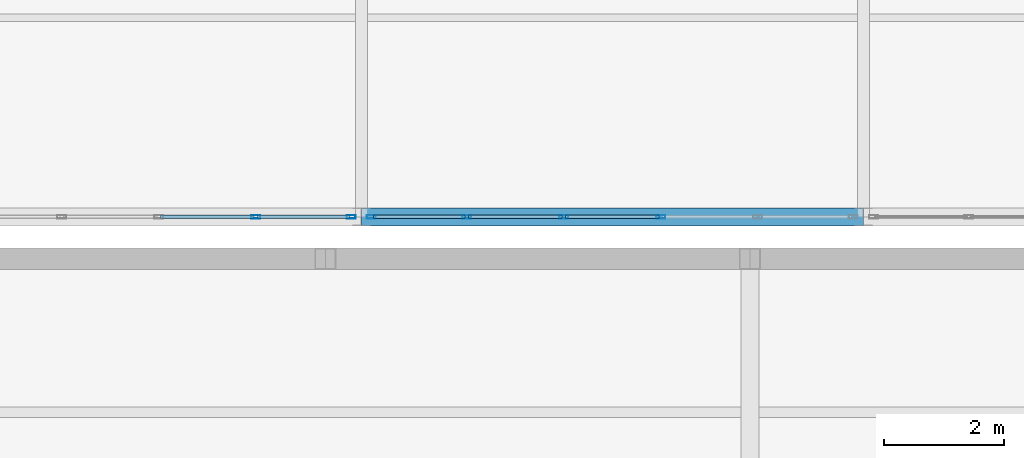
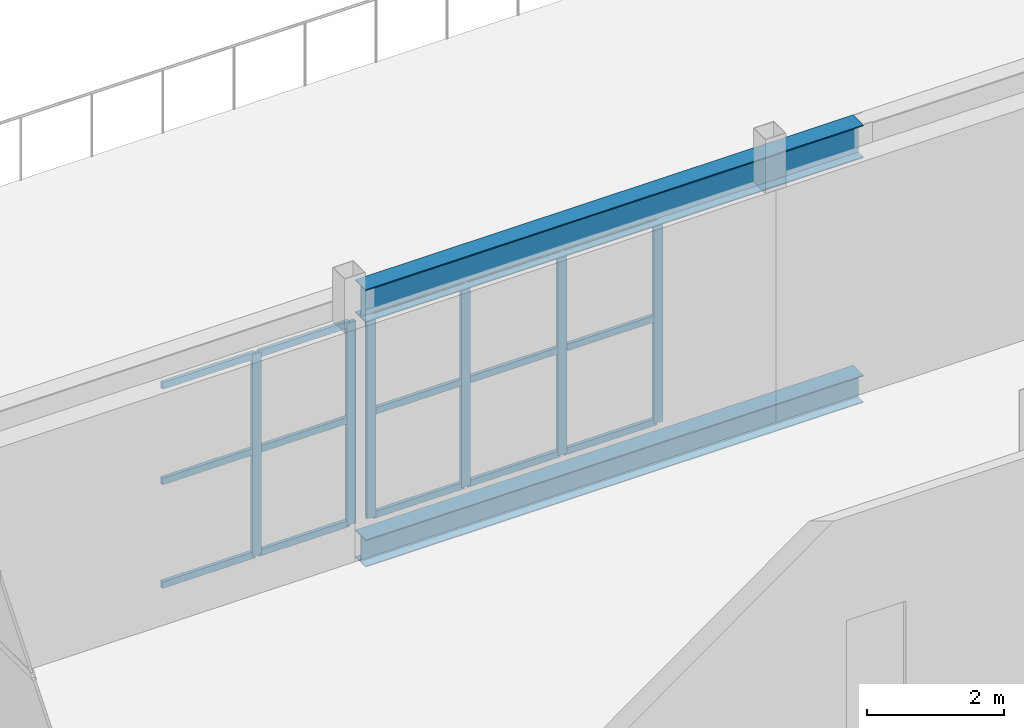
# One storey, part 143 of 218: 21 members, 2 beams, 2 elements without a shape of their own.
"""IFC4 building model written with IfcOpenShell, lengths in metres."""

import ifcopenshell
import ifcopenshell.guid

model = None  # the IFC model being written
_history = None  # IfcOwnerHistory: only IFC2X3 demands one
_inside = {}  # id of a spatial element -> (the spatial element, [elements in it])
_under = {}  # id of a project, library or spatial element -> (it, [spatial elements below it])
_declared = {}  # id of a project -> (the project, [libraries it declares])
_typed = {}  # id of a type object -> (the type object, [elements of that type])
_made_of = {}  # id of a material, layer set ... -> (it, [elements and type objects made of it])


def new_model(schema):
    """Start an empty IFC model of exactly this schema.

    Asked for "IFC4X3", IfcOpenShell would pick the latest addendum, in which some entities
    have other attributes; the version numbers below select the first issue.
    IFC2X3 requires an IfcOwnerHistory on every rooted entity: one is made here for all.
    """
    global model, _history
    if schema == "IFC4X3":
        model = ifcopenshell.file(schema_version=(4, 3, 0, 0))
    else:
        model = ifcopenshell.file(schema=schema)
    _inside.clear()
    _under.clear()
    _declared.clear()
    _typed.clear()
    _made_of.clear()
    _history = None
    if model.schema == "IFC2X3":
        org = make("IfcOrganization", Name="unknown")
        user = make(
            "IfcPersonAndOrganization",
            ThePerson=make("IfcPerson", FamilyName="unknown"),
            TheOrganization=org,
        )
        app = make(
            "IfcApplication",
            ApplicationDeveloper=org,
            Version="unknown",
            ApplicationFullName="unknown",
            ApplicationIdentifier="unknown",
        )
        _history = make(
            "IfcOwnerHistory",
            OwningUser=user,
            OwningApplication=app,
            ChangeAction="ADDED",
            CreationDate=0,
        )
    return model


def make(cls, **values):
    """One entity of the class cls with the attributes given. An attribute that is None is left unset."""
    return model.create_entity(
        cls, **{name: value for name, value in values.items() if value is not None}
    )


def rooted(cls, **values):
    """An entity with a GlobalId (a new one), such as an element, a storey or a relation."""
    return make(cls, GlobalId=ifcopenshell.guid.new(), OwnerHistory=_history, **values)


def si_unit(unit_type, name, prefix=None):
    """IfcSIUnit, for example si_unit("LENGTHUNIT", "METRE", prefix="MILLI")."""
    return make("IfcSIUnit", UnitType=unit_type, Prefix=prefix, Name=name)


def assignment(units):
    """IfcUnitAssignment: the units of a project."""
    return None if units is None else make("IfcUnitAssignment", Units=units)


def point(xyz):
    """IfcCartesianPoint."""
    return None if xyz is None else make("IfcCartesianPoint", Coordinates=xyz)


def direction(xyz):
    """IfcDirection."""
    return None if xyz is None else make("IfcDirection", DirectionRatios=xyz)


def frame(location, z_axis=None, x_axis=None):
    """IfcAxis2Placement3D, a coordinate frame: its origin and axes. An axis left out is left unset."""
    return make(
        "IfcAxis2Placement3D",
        Location=point(location),
        Axis=direction(z_axis),
        RefDirection=direction(x_axis),
    )


def frame_2d(location, x_axis=None):
    """IfcAxis2Placement2D, a coordinate frame in the plane: its origin and x axis."""
    return make(
        "IfcAxis2Placement2D", Location=point(location), RefDirection=direction(x_axis)
    )


def origin():
    """The frame at (0, 0, 0) with its axes left unset."""
    return frame((0.0, 0.0, 0.0))


def origin_2d():
    """The frame at (0, 0) in the plane with its x axis left unset."""
    return frame_2d((0.0, 0.0))


def place(relative_to, where):
    """IfcLocalPlacement: puts the frame where relative to a parent placement (None: the world)."""
    return make(
        "IfcLocalPlacement", PlacementRelTo=relative_to, RelativePlacement=where
    )


def context(
    kind, dimensions, precision=None, world=None, true_north=None, identifier=None
):
    """IfcGeometricRepresentationContext, for example the 3D "Model" context."""
    return make(
        "IfcGeometricRepresentationContext",
        ContextIdentifier=identifier,
        ContextType=kind,
        CoordinateSpaceDimension=dimensions,
        Precision=precision,
        WorldCoordinateSystem=world,
        TrueNorth=true_north,
    )


def subcontext(parent, identifier, kind, view, scale=None):
    """IfcGeometricRepresentationSubContext, for example "Body" below "Model"."""
    return make(
        "IfcGeometricRepresentationSubContext",
        ContextIdentifier=identifier,
        ContextType=kind,
        ParentContext=parent,
        TargetScale=scale,
        TargetView=view,
    )


def project(units=None, contexts=None):
    """IfcProject with its units and contexts."""
    return rooted(
        "IfcProject",
        Name="project",
        RepresentationContexts=contexts,
        UnitsInContext=assignment(units),
    )


def spatial(cls, under=None, at=None, **own):
    """A site, building, storey or space (cls), placed at a placement, below another one or the project."""
    s = rooted(cls, ObjectPlacement=at, **own)
    if under is not None:
        _under.setdefault(under.id(), (under, []))[1].append(s)
    return s


def profile(cls, at=None, kind="AREA", **sizes):
    """A parametric profile (cls). Its sizes go by their IFC names, for example OverallWidth=200.0."""
    return make(cls, ProfileType=kind, Position=at, **sizes)


def hollow_rectangle(**sizes):
    """IfcRectangleHollowProfileDef."""
    return profile("IfcRectangleHollowProfileDef", **sizes)


def i_section(**sizes):
    """IfcIShapeProfileDef."""
    return profile("IfcIShapeProfileDef", **sizes)


def extrude(swept, where, along, depth):
    """IfcExtrudedAreaSolid: the profile swept, set in the frame where, extruded along a direction by depth."""
    return make(
        "IfcExtrudedAreaSolid",
        SweptArea=swept,
        Position=where,
        ExtrudedDirection=direction(along),
        Depth=depth,
    )


def shape(context_of_items, identifier, shape_type, items):
    """IfcShapeRepresentation: the items that make up one representation, for example the "Body"."""
    return make(
        "IfcShapeRepresentation",
        ContextOfItems=context_of_items,
        RepresentationIdentifier=identifier,
        RepresentationType=shape_type,
        Items=items,
    )


def material(Name=None, Category=None):
    """IfcMaterial."""
    return make("IfcMaterial", Name=Name, Category=Category)


def material_profile(
    of_material, cross_section, Name=None, Category=None, Priority=None
):
    """IfcMaterialProfile: a cross section and its material."""
    return make(
        "IfcMaterialProfile",
        Name=Name,
        Material=of_material,
        Profile=cross_section,
        Priority=Priority,
        Category=Category,
    )


def profile_set(profiles, Name=None, composite=None):
    """IfcMaterialProfileSet."""
    return make(
        "IfcMaterialProfileSet",
        Name=Name,
        MaterialProfiles=profiles,
        CompositeProfile=composite,
    )


def made_of(thing, what):
    """Note that an element or type object is made of a material, layer set ...; save() writes the relation."""
    if what is not None:
        _made_of.setdefault(what.id(), (what, []))[1].append(thing)
    return thing


def type_object(cls, material=None, **own):
    """A type object (cls), such as IfcWallType, which elements share."""
    return made_of(rooted(cls, **own), material)


def element(
    cls,
    number,
    at=None,
    inside=None,
    cuts=None,
    type_object=None,
    material=None,
    context=None,
    identifier="Body",
    shape_type=None,
    held_by="IfcProductDefinitionShape",
    body=None,
    shapes=None,
    **own,
):
    """One element of the class cls, such as IfcWall. Its Tag is "e" and its number.

    at: its placement. inside: the storey or other place that contains it. cuts: it is an
    opening in that element (IfcRelVoidsElement). A single representation is given by context,
    identifier, shape_type and body (its items); several are given by shapes. held_by: the class
    of the entity that holds the representations. save() writes the other relations.
    """
    e = rooted(cls, Tag="e%d" % number, ObjectPlacement=at, **own)
    if body is not None:
        shapes = [shape(context, identifier, shape_type, body)]
    if shapes is not None:
        e.Representation = make(held_by, Representations=shapes)
    if inside is not None:
        _inside.setdefault(inside.id(), (inside, []))[1].append(e)
    if cuts is not None:
        rooted(
            "IfcRelVoidsElement", RelatingBuildingElement=cuts, RelatedOpeningElement=e
        )
    if type_object is not None:
        _typed.setdefault(type_object.id(), (type_object, []))[1].append(e)
    return made_of(e, material)


def aggregate(whole, parts):
    """IfcRelAggregates: a whole, such as a stair, and the parts it consists of."""
    return rooted("IfcRelAggregates", RelatingObject=whole, RelatedObjects=parts)


def save(model, path):
    """Write the relations noted so far, then the file.

    IfcRelAggregates (storeys below a building ...), IfcRelContainedInSpatialStructure (elements
    in a storey), IfcRelDefinesByType, IfcRelAssociatesMaterial and IfcRelDeclares: one each for
    every whole, place, type object, material and project.
    """
    for whole, parts in _under.values():
        aggregate(whole, parts)
    for where, things in _inside.values():
        rooted(
            "IfcRelContainedInSpatialStructure",
            RelatedElements=things,
            RelatingStructure=where,
        )
    for kind, things in _typed.values():
        rooted("IfcRelDefinesByType", RelatedObjects=things, RelatingType=kind)
    for what, things in _made_of.values():
        rooted("IfcRelAssociatesMaterial", RelatedObjects=things, RelatingMaterial=what)
    for by, libraries in _declared.values():
        rooted("IfcRelDeclares", RelatingContext=by, RelatedDefinitions=libraries)
    model.write(path)


model = new_model("IFC4")

# Units and contexts
model_context = context("Model", 3, precision=1e-05, world=origin(), true_north=direction((0.0, 1.0)))
body_context = subcontext(model_context, "Body", "Model", "MODEL_VIEW")
ifc_project = project(units=[si_unit("LENGTHUNIT", "METRE"), si_unit("AREAUNIT", "SQUARE_METRE"), si_unit("VOLUMEUNIT", "CUBIC_METRE"), si_unit("PLANEANGLEUNIT", "RADIAN"), si_unit("MASSUNIT", "GRAM", prefix="KILO")], contexts=[model_context])

# Site, building, storey
site_placement = place(None, origin())
site = spatial("IfcSite", under=ifc_project, at=site_placement, CompositionType="ELEMENT")
building_placement = place(site_placement, origin())
building = spatial("IfcBuilding", under=site, at=building_placement, Name="Kazenagashi Tramway Depot", CompositionType="ELEMENT")
storey_placement = place(building_placement, frame((0.0, 0.0, 6.0)))
storey = spatial("IfcBuildingStorey", under=building, at=storey_placement, Name="L02", CompositionType="ELEMENT", Elevation=6.0)

# Curtain wall, members
ifc_material_1 = material(Name="Anodised Aluminium and Low-E Glazing", Category="aluminium")
curtain_wall_type = type_object("IfcCurtainWallType", Name="CW-11", PredefinedType="USERDEFINED", material=ifc_material_1)
curtain_wall_1_placement = place(storey_placement, origin())
curtain_wall_1 = element("IfcCurtainWall", 1, at=curtain_wall_1_placement, inside=storey, type_object=curtain_wall_type, Name="Industrial Glazed Screen CW-11 CW-0043", ObjectType="GLAZED SCREEN", PredefinedType="USERDEFINED")
ifc_material_2 = material(Name="Anodised Aluminium", Category="aluminium")
ifc_material_profile_1 = material_profile(ifc_material_2, hollow_rectangle(XDim=0.06, YDim=0.15, WallThickness=0.004, at=origin_2d()), Name="RHS-150x60x4")
ifc_profile_set_1 = profile_set([ifc_material_profile_1], Name="Anodised Aluminium")
member_type_1 = type_object("IfcMemberType", Name="ML-01", PredefinedType="MULLION", material=ifc_profile_set_1)
member_1_placement = place(storey_placement, frame((152.236, 70.0, 0.0), z_axis=(0.0, 0.0, 1.0), x_axis=(0.0, 1.0, 0.0)))
member_1 = element("IfcMember", 2, at=member_1_placement, type_object=member_type_1, Name="CW-11 mullion 5", PredefinedType="MULLION", context=body_context, shape_type="SweptSolid", body=[
    extrude(hollow_rectangle(XDim=0.06, YDim=0.15, WallThickness=0.004, at=origin_2d()), origin(), (0.0, 0.0, 1.0), 3.612),
])
member_2_placement = place(storey_placement, frame((153.83, 70.0, 0.0), z_axis=(0.0, 0.0, 1.0), x_axis=(0.0, 1.0, 0.0)))
member_2 = element("IfcMember", 3, at=member_2_placement, type_object=member_type_1, Name="CW-11 mullion 6", PredefinedType="MULLION", context=body_context, shape_type="SweptSolid", body=[
    extrude(hollow_rectangle(XDim=0.06, YDim=0.15, WallThickness=0.004, at=origin_2d()), origin(), (0.0, 0.0, 1.0), 3.612),
])

curtain_wall_2_placement = place(storey_placement, origin())
curtain_wall_2 = element("IfcCurtainWall", 4, at=curtain_wall_2_placement, inside=storey, type_object=curtain_wall_type, Name="Industrial Glazed Screen CW-11 CW-0046", ObjectType="GLAZED SCREEN", PredefinedType="USERDEFINED")
member_3_placement = place(storey_placement, frame((154.17, 70.0, 0.0), z_axis=(0.0, 0.0, 1.0), x_axis=(0.0, 1.0, 0.0)))
member_3 = element("IfcMember", 5, at=member_3_placement, type_object=member_type_1, Name="CW-11 mullion 1", PredefinedType="MULLION", context=body_context, shape_type="SweptSolid", body=[
    extrude(hollow_rectangle(XDim=0.06, YDim=0.15, WallThickness=0.004, at=origin_2d()), origin(), (0.0, 0.0, 1.0), 3.612),
])
member_4_placement = place(storey_placement, frame((155.764, 70.0, 0.0), z_axis=(0.0, 0.0, 1.0), x_axis=(0.0, 1.0, 0.0)))
member_4 = element("IfcMember", 6, at=member_4_placement, type_object=member_type_1, Name="CW-11 mullion 2", PredefinedType="MULLION", context=body_context, shape_type="SweptSolid", body=[
    extrude(hollow_rectangle(XDim=0.06, YDim=0.15, WallThickness=0.004, at=origin_2d()), origin(), (0.0, 0.0, 1.0), 3.612),
])
member_5_placement = place(storey_placement, frame((157.388, 70.0, 0.0), z_axis=(0.0, 0.0, 1.0), x_axis=(0.0, 1.0, 0.0)))
member_5 = element("IfcMember", 7, at=member_5_placement, type_object=member_type_1, Name="CW-11 mullion 3", PredefinedType="MULLION", context=body_context, shape_type="SweptSolid", body=[
    extrude(hollow_rectangle(XDim=0.06, YDim=0.15, WallThickness=0.004, at=origin_2d()), origin(), (0.0, 0.0, 1.0), 3.612),
])
member_6_placement = place(storey_placement, frame((159.012, 70.0, 0.0), z_axis=(0.0, 0.0, 1.0), x_axis=(0.0, 1.0, 0.0)))
member_6 = element("IfcMember", 8, at=member_6_placement, type_object=member_type_1, Name="CW-11 mullion 4", PredefinedType="MULLION", context=body_context, shape_type="SweptSolid", body=[
    extrude(hollow_rectangle(XDim=0.06, YDim=0.15, WallThickness=0.004, at=origin_2d()), origin(), (0.0, 0.0, 1.0), 3.612),
])

# Beams
ifc_material_3 = material(Name="Steel SN490B", Category="steel")
ifc_material_profile_2 = material_profile(ifc_material_3, i_section(OverallWidth=0.3, OverallDepth=0.588, WebThickness=0.012, FlangeThickness=0.02, at=origin_2d()), Name="H-588x300x12x20")
ifc_profile_set_2 = profile_set([ifc_material_profile_2], Name="Steel SN490B")
beam_type_1 = type_object("IfcBeamType", Name="SP-01", PredefinedType="SPANDREL", material=ifc_profile_set_2)
beam_1_placement = place(storey_placement, frame((154.0, 70.0, 3.906), z_axis=(1.0, 0.0, 0.0), x_axis=(0.0, 1.0, 0.0)))
element("IfcBeam", 9, at=beam_1_placement, inside=storey, type_object=beam_type_1, Name="Beam SP-01 BM-1857", PredefinedType="SPANDREL", context=body_context, shape_type="SweptSolid", body=[
    extrude(i_section(OverallWidth=0.3, OverallDepth=0.588, WebThickness=0.012, FlangeThickness=0.02, at=origin_2d()), origin(), (0.0, 0.0, 1.0), 8.4),
])
ifc_material_profile_3 = material_profile(ifc_material_3, i_section(OverallWidth=0.3, OverallDepth=0.488, WebThickness=0.011, FlangeThickness=0.018, at=origin_2d()), Name="H-488x300x11x18")
ifc_profile_set_3 = profile_set([ifc_material_profile_3], Name="Steel SN490B")
beam_type_2 = type_object("IfcBeamType", Name="SP-02", PredefinedType="SPANDREL", material=ifc_profile_set_3)
beam_2_placement = place(storey_placement, frame((154.0, 70.0, -0.509), z_axis=(1.0, 0.0, 0.0), x_axis=(0.0, 1.0, 0.0)))
element("IfcBeam", 10, at=beam_2_placement, inside=storey, type_object=beam_type_2, Name="Beam SP-02 BM-1714", PredefinedType="SPANDREL", context=body_context, shape_type="SweptSolid", body=[
    extrude(i_section(OverallWidth=0.3, OverallDepth=0.488, WebThickness=0.011, FlangeThickness=0.018, at=origin_2d()), origin(), (0.0, 0.0, 1.0), 8.4),
])

# Member
ifc_material_profile_4 = material_profile(ifc_material_2, hollow_rectangle(XDim=0.06, YDim=0.12, WallThickness=0.004, at=origin_2d()), Name="RHS-120x60x4")
ifc_profile_set_4 = profile_set([ifc_material_profile_4], Name="Anodised Aluminium")
member_type_2 = type_object("IfcMemberType", Name="TR-01", PredefinedType="USERDEFINED", material=ifc_profile_set_4)
member_7_placement = place(storey_placement, frame((150.642, 70.0, 0.03), z_axis=(1.0, 0.0, 0.0), x_axis=(0.0, 1.0, 0.0)))
member_7 = element("IfcMember", 11, at=member_7_placement, type_object=member_type_2, Name="CW-11 transom 4.1", ObjectType="TRANSOM", PredefinedType="USERDEFINED", context=body_context, shape_type="SweptSolid", body=[
    extrude(hollow_rectangle(XDim=0.06, YDim=0.12, WallThickness=0.004, at=origin_2d()), origin(), (0.0, 0.0, 1.0), 1.564),
])

member_8_placement = place(storey_placement, frame((150.642, 70.0, 1.878), z_axis=(1.0, 0.0, 0.0), x_axis=(0.0, 1.0, 0.0)))
member_8 = element("IfcMember", 12, at=member_8_placement, type_object=member_type_2, Name="CW-11 transom 4.2", ObjectType="TRANSOM", PredefinedType="USERDEFINED", context=body_context, shape_type="SweptSolid", body=[
    extrude(hollow_rectangle(XDim=0.06, YDim=0.12, WallThickness=0.004, at=origin_2d()), origin(), (0.0, 0.0, 1.0), 1.564),
])

member_9_placement = place(storey_placement, frame((150.642, 70.0, 3.582), z_axis=(1.0, 0.0, 0.0), x_axis=(0.0, 1.0, 0.0)))
member_9 = element("IfcMember", 13, at=member_9_placement, type_object=member_type_2, Name="CW-11 transom 4.3", ObjectType="TRANSOM", PredefinedType="USERDEFINED", context=body_context, shape_type="SweptSolid", body=[
    extrude(hollow_rectangle(XDim=0.06, YDim=0.12, WallThickness=0.004, at=origin_2d()), origin(), (0.0, 0.0, 1.0), 1.564),
])

member_10_placement = place(storey_placement, frame((152.266, 70.0, 0.03), z_axis=(1.0, 0.0, 0.0), x_axis=(0.0, 1.0, 0.0)))
member_10 = element("IfcMember", 14, at=member_10_placement, type_object=member_type_2, Name="CW-11 transom 5.1", ObjectType="TRANSOM", PredefinedType="USERDEFINED", context=body_context, shape_type="SweptSolid", body=[
    extrude(hollow_rectangle(XDim=0.06, YDim=0.12, WallThickness=0.004, at=origin_2d()), origin(), (0.0, 0.0, 1.0), 1.534),
])

member_11_placement = place(storey_placement, frame((152.266, 70.0, 1.878), z_axis=(1.0, 0.0, 0.0), x_axis=(0.0, 1.0, 0.0)))
member_11 = element("IfcMember", 15, at=member_11_placement, type_object=member_type_2, Name="CW-11 transom 5.2", ObjectType="TRANSOM", PredefinedType="USERDEFINED", context=body_context, shape_type="SweptSolid", body=[
    extrude(hollow_rectangle(XDim=0.06, YDim=0.12, WallThickness=0.004, at=origin_2d()), origin(), (0.0, 0.0, 1.0), 1.534),
])

member_12_placement = place(storey_placement, frame((152.266, 70.0, 3.582), z_axis=(1.0, 0.0, 0.0), x_axis=(0.0, 1.0, 0.0)))
member_12 = element("IfcMember", 16, at=member_12_placement, type_object=member_type_2, Name="CW-11 transom 5.3", ObjectType="TRANSOM", PredefinedType="USERDEFINED", context=body_context, shape_type="SweptSolid", body=[
    extrude(hollow_rectangle(XDim=0.06, YDim=0.12, WallThickness=0.004, at=origin_2d()), origin(), (0.0, 0.0, 1.0), 1.534),
])

aggregate(curtain_wall_1, [member_1, member_2, member_7, member_8, member_9, member_10, member_11, member_12])

member_13_placement = place(storey_placement, frame((154.2, 70.0, 0.03), z_axis=(1.0, 0.0, 0.0), x_axis=(0.0, 1.0, 0.0)))
member_13 = element("IfcMember", 17, at=member_13_placement, type_object=member_type_2, Name="CW-11 transom 1.1", ObjectType="TRANSOM", PredefinedType="USERDEFINED", context=body_context, shape_type="SweptSolid", body=[
    extrude(hollow_rectangle(XDim=0.06, YDim=0.12, WallThickness=0.004, at=origin_2d()), origin(), (0.0, 0.0, 1.0), 1.534),
])

member_14_placement = place(storey_placement, frame((154.2, 70.0, 1.878), z_axis=(1.0, 0.0, 0.0), x_axis=(0.0, 1.0, 0.0)))
member_14 = element("IfcMember", 18, at=member_14_placement, type_object=member_type_2, Name="CW-11 transom 1.2", ObjectType="TRANSOM", PredefinedType="USERDEFINED", context=body_context, shape_type="SweptSolid", body=[
    extrude(hollow_rectangle(XDim=0.06, YDim=0.12, WallThickness=0.004, at=origin_2d()), origin(), (0.0, 0.0, 1.0), 1.534),
])

member_15_placement = place(storey_placement, frame((154.2, 70.0, 3.582), z_axis=(1.0, 0.0, 0.0), x_axis=(0.0, 1.0, 0.0)))
member_15 = element("IfcMember", 19, at=member_15_placement, type_object=member_type_2, Name="CW-11 transom 1.3", ObjectType="TRANSOM", PredefinedType="USERDEFINED", context=body_context, shape_type="SweptSolid", body=[
    extrude(hollow_rectangle(XDim=0.06, YDim=0.12, WallThickness=0.004, at=origin_2d()), origin(), (0.0, 0.0, 1.0), 1.534),
])

member_16_placement = place(storey_placement, frame((155.794, 70.0, 0.03), z_axis=(1.0, 0.0, 0.0), x_axis=(0.0, 1.0, 0.0)))
member_16 = element("IfcMember", 20, at=member_16_placement, type_object=member_type_2, Name="CW-11 transom 2.1", ObjectType="TRANSOM", PredefinedType="USERDEFINED", context=body_context, shape_type="SweptSolid", body=[
    extrude(hollow_rectangle(XDim=0.06, YDim=0.12, WallThickness=0.004, at=origin_2d()), origin(), (0.0, 0.0, 1.0), 1.564),
])

member_17_placement = place(storey_placement, frame((155.794, 70.0, 1.878), z_axis=(1.0, 0.0, 0.0), x_axis=(0.0, 1.0, 0.0)))
member_17 = element("IfcMember", 21, at=member_17_placement, type_object=member_type_2, Name="CW-11 transom 2.2", ObjectType="TRANSOM", PredefinedType="USERDEFINED", context=body_context, shape_type="SweptSolid", body=[
    extrude(hollow_rectangle(XDim=0.06, YDim=0.12, WallThickness=0.004, at=origin_2d()), origin(), (0.0, 0.0, 1.0), 1.564),
])

member_18_placement = place(storey_placement, frame((155.794, 70.0, 3.582), z_axis=(1.0, 0.0, 0.0), x_axis=(0.0, 1.0, 0.0)))
member_18 = element("IfcMember", 22, at=member_18_placement, type_object=member_type_2, Name="CW-11 transom 2.3", ObjectType="TRANSOM", PredefinedType="USERDEFINED", context=body_context, shape_type="SweptSolid", body=[
    extrude(hollow_rectangle(XDim=0.06, YDim=0.12, WallThickness=0.004, at=origin_2d()), origin(), (0.0, 0.0, 1.0), 1.564),
])

member_19_placement = place(storey_placement, frame((157.418, 70.0, 0.03), z_axis=(1.0, 0.0, 0.0), x_axis=(0.0, 1.0, 0.0)))
member_19 = element("IfcMember", 23, at=member_19_placement, type_object=member_type_2, Name="CW-11 transom 3.1", ObjectType="TRANSOM", PredefinedType="USERDEFINED", context=body_context, shape_type="SweptSolid", body=[
    extrude(hollow_rectangle(XDim=0.06, YDim=0.12, WallThickness=0.004, at=origin_2d()), origin(), (0.0, 0.0, 1.0), 1.564),
])

member_20_placement = place(storey_placement, frame((157.418, 70.0, 1.878), z_axis=(1.0, 0.0, 0.0), x_axis=(0.0, 1.0, 0.0)))
member_20 = element("IfcMember", 24, at=member_20_placement, type_object=member_type_2, Name="CW-11 transom 3.2", ObjectType="TRANSOM", PredefinedType="USERDEFINED", context=body_context, shape_type="SweptSolid", body=[
    extrude(hollow_rectangle(XDim=0.06, YDim=0.12, WallThickness=0.004, at=origin_2d()), origin(), (0.0, 0.0, 1.0), 1.564),
])

member_21_placement = place(storey_placement, frame((157.418, 70.0, 3.582), z_axis=(1.0, 0.0, 0.0), x_axis=(0.0, 1.0, 0.0)))
member_21 = element("IfcMember", 25, at=member_21_placement, type_object=member_type_2, Name="CW-11 transom 3.3", ObjectType="TRANSOM", PredefinedType="USERDEFINED", context=body_context, shape_type="SweptSolid", body=[
    extrude(hollow_rectangle(XDim=0.06, YDim=0.12, WallThickness=0.004, at=origin_2d()), origin(), (0.0, 0.0, 1.0), 1.564),
])

aggregate(curtain_wall_2, [member_3, member_4, member_5, member_6, member_13, member_14, member_15, member_16, member_17, member_18, member_19, member_20, member_21])

save(model, "model.ifc")
